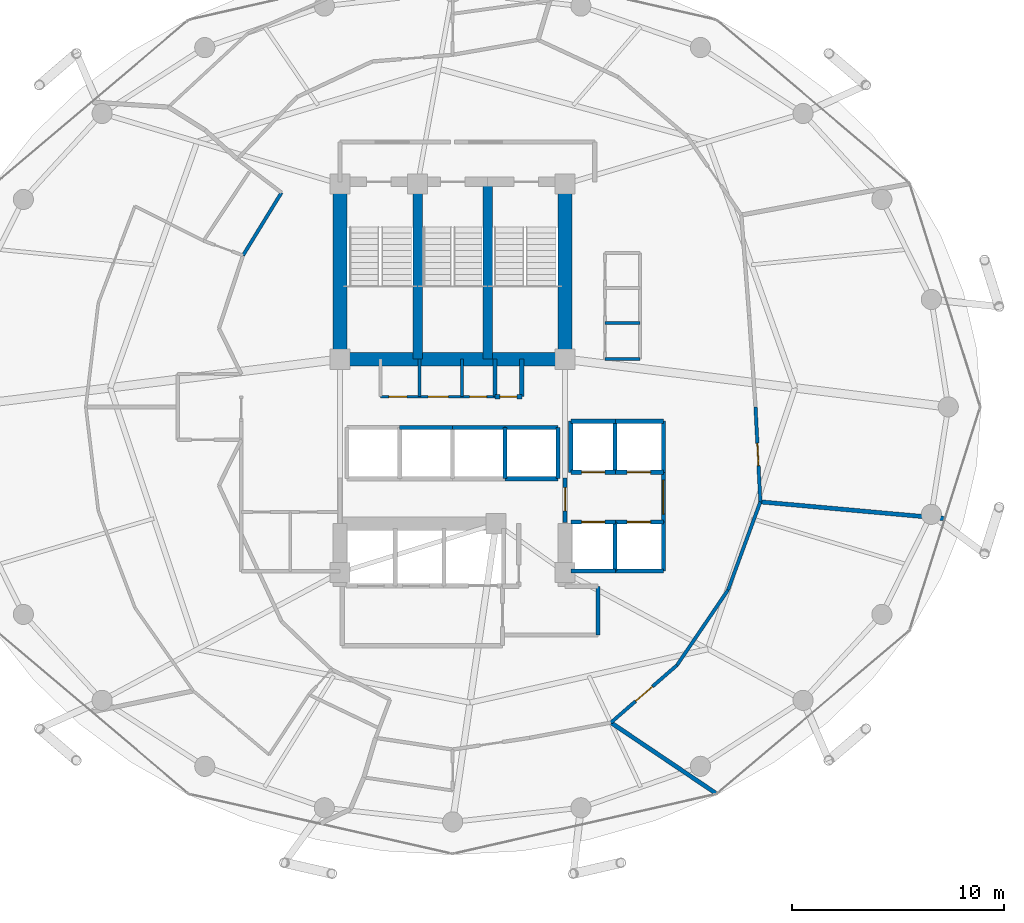
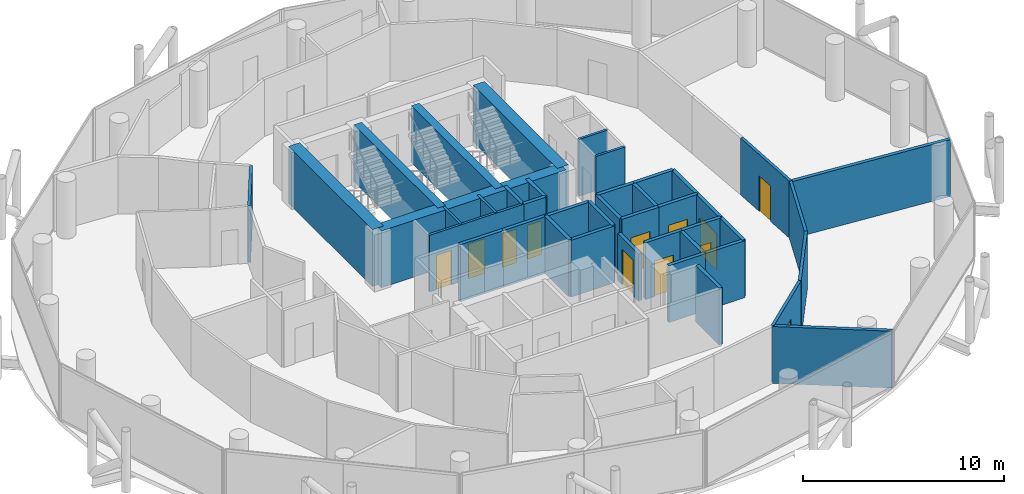
# One storey, part 23 of 26: 42 walls, 12 doors, 12 openings.
"""IFC4 building model written with IfcOpenShell, lengths in metres."""

from ifc_helpers import new_model, si_unit, direction, frame, frame_2d, origin, place, context, subcontext, project, spatial, rectangle, extrude, material, layer, layer_set, type_object, element, fill, save


model = new_model("IFC4")

# Units and contexts
model_context = context("Model", 3, precision=1e-05, world=origin(), true_north=direction((0.0, 1.0)))
body_context = subcontext(model_context, "Body", "Model", "MODEL_VIEW")
ifc_project = project(units=[si_unit("LENGTHUNIT", "METRE"), si_unit("AREAUNIT", "SQUARE_METRE"), si_unit("VOLUMEUNIT", "CUBIC_METRE"), si_unit("PLANEANGLEUNIT", "RADIAN"), si_unit("MASSUNIT", "GRAM", prefix="KILO")], contexts=[model_context])

# Site, building, storey
site_placement = place(None, origin())
site = spatial("IfcSite", under=ifc_project, at=site_placement, CompositionType="ELEMENT")
building_placement = place(site_placement, origin())
building = spatial("IfcBuilding", under=site, at=building_placement, Name="Nuhasar Tower", CompositionType="ELEMENT")
storey_placement = place(building_placement, frame((0.0, 0.0, 170.050048828125)))
storey = spatial("IfcBuildingStorey", under=building, at=storey_placement, Name="L41", CompositionType="ELEMENT", Elevation=170.050048828125)

# Walls
ifc_material_1 = material(Name="Concrete C50/60", Category="concrete")
ifc_layer_1 = layer(ifc_material_1, 0.449951171875)
ifc_layer_set_1 = layer_set([ifc_layer_1], Name="Concrete C50/60")
wall_type_1 = type_object("IfcWallType", Name="WL-CORE-450", PredefinedType="SHEAR", material=ifc_layer_set_1)
for number, where, z_axis, x_axis, name in (
    (1, (37.35009765625, 29.050048828125, 0.0), (0.0, 0.0, 1.0), (0.0, 1.0, 0.0), "L41 Stairwell Shear Wall ST01-E"),
    (2, (40.64990234375, 29.050048828125, 0.0), (0.0, 0.0, 1.0), (0.0, 1.0, 0.0), "L41 Stairwell Shear Wall ST03-E"),
):
    element("IfcWall", number, at=place(storey_placement, frame(where, z_axis=z_axis, x_axis=x_axis)), inside=storey, type_object=wall_type_1, Name=name, PredefinedType="SHEAR", context=body_context, shape_type="SweptSolid", body=[
        extrude(rectangle(XDim=8.349853515625, YDim=0.449951171875, at=frame_2d((4.1748046875, 0.0))), origin(), (0.0, 0.0, 1.0), 3.449951171875),
    ])
ifc_material_2 = material(Name="Concrete C65/80", Category="concrete")
ifc_layer_2 = layer(ifc_material_2, 0.64990234375)
ifc_layer_set_2 = layer_set([ifc_layer_2], Name="Concrete C65/80")
wall_type_2 = type_object("IfcWallType", Name="WL-CORE-650", PredefinedType="SHEAR", material=ifc_layer_set_2)
for number, where, z_axis, x_axis, name in (
    (3, (33.699951171875, 29.050048828125, 0.0), (0.0, 0.0, 1.0), (0.0, 1.0, 0.0), "L41 Core Shear Wall CW-NW CW-650"),
    (4, (44.300048828125, 29.050048828125, 0.0), (0.0, 0.0, 1.0), (0.0, 1.0, 0.0), "L41 Core Shear Wall CW-NE CW-650"),
):
    element("IfcWall", number, at=place(storey_placement, frame(where, z_axis=z_axis, x_axis=x_axis)), inside=storey, type_object=wall_type_2, Name=name, PredefinedType="SHEAR", context=body_context, shape_type="SweptSolid", body=[
        extrude(rectangle(XDim=8.349853515625, YDim=0.64990234375, at=frame_2d((4.1748046875, 0.0))), origin(), (0.0, 0.0, 1.0), 3.449951171875),
    ])
wall_1_placement = place(storey_placement, frame((33.699951171875, 29.050048828125, 0.0), z_axis=(0.0, 0.0, 1.0), x_axis=(1.0, 0.0, 0.0)))
element("IfcWall", 5, at=wall_1_placement, inside=storey, type_object=wall_type_2, Name="L41 Core Shear Wall CW-N1 CW-650", PredefinedType="SHEAR", context=body_context, shape_type="SweptSolid", body=[
    extrude(rectangle(XDim=10.60009765625, YDim=0.64990234375, at=frame_2d((5.300048828125, 0.0))), origin(), (0.0, 0.0, 1.0), 3.449951171875),
])

# Wall, opening, door
ifc_material_3 = material(Name="Gypsum Board", Category="gypsum")
ifc_layer_3 = layer(ifc_material_3, 0.159912109375)
ifc_layer_set_3 = layer_set([ifc_layer_3], Name="Gypsum Board")
wall_type_3 = type_object("IfcWallType", Name="WL-CORR-160", PredefinedType="PARTITIONING", material=ifc_layer_set_3)
wall_2_placement = place(storey_placement, frame((49.570068359375, 14.632080078125, 0.0), z_axis=(0.0, 0.0, 1.0), x_axis=(-0.754850245374, -0.6558971772, 0.0)))
wall_2 = element("IfcWall", 6, at=wall_2_placement, inside=storey, type_object=wall_type_3, Name="L41 Interior Partition CORR-40", PredefinedType="PARTITIONING", context=body_context, shape_type="SweptSolid", body=[
    extrude(rectangle(XDim=4.122802734375, YDim=0.159912109375, at=frame_2d((2.0615234375, 0.0))), origin(), (0.0, 0.0, 1.0), 3.449951171875),
])
opening_1_placement = place(wall_2_placement, frame((1.535888671875, 0.0, 0.0)))
opening_1 = element("IfcOpeningElement", 7, at=opening_1_placement, cuts=wall_2, Name="Opening DU-01", PredefinedType="OPENING", context=body_context, shape_type="SweptSolid", body=[
    extrude(rectangle(XDim=1.050048828125, YDim=2.14990234375, at=frame_2d((0.52490234375, 1.074951171875))), frame((0.0, 0.08984375, 0.0), z_axis=(0.0, -1.0, 0.0), x_axis=(1.0, 0.0, 0.0)), (0.0, 0.0, 1.0), 0.179931640625),
])
ifc_material_4 = material(Name="Timber Oak", Category="wood")
door_type_1 = type_object("IfcDoorType", Name="DR-SUITE-FD60-1050", OperationType="NOTDEFINED", PredefinedType="DOOR", material=ifc_material_4)
door_1_placement = place(opening_1_placement, origin())
door_1 = element("IfcDoor", 8, at=door_1_placement, inside=storey, type_object=door_type_1, Name="L41 Embassy Secretariat Office Entrance Door", OperationType="SINGLE_SWING_LEFT", OverallHeight=2.14990234375, OverallWidth=1.050048828125, PredefinedType="DOOR", context=body_context, shape_type="SweptSolid", body=[
    extrude(rectangle(XDim=1.050048828125, YDim=2.14990234375, at=frame_2d((0.52490234375, 1.074951171875))), frame((0.0, 0.02490234375, 0.0), z_axis=(0.0, -1.0, 0.0), x_axis=(1.0, 0.0, 0.0)), (0.0, 0.0, 1.0), 0.050048828125),
])
fill(opening_1, door_1)

# Walls
wall_3_placement = place(storey_placement, frame((49.570068359375, 14.632080078125, 0.0), z_axis=(0.0, 0.0, 1.0), x_axis=(0.561534872814, 0.827453072152, 0.0)))
element("IfcWall", 9, at=wall_3_placement, inside=storey, type_object=wall_type_3, Name="L41 Interior Partition CORR-42", PredefinedType="PARTITIONING", context=body_context, shape_type="SweptSolid", body=[
    extrude(rectangle(XDim=4.282958984375, YDim=0.159912109375, at=frame_2d((2.1416015625, 0.0))), origin(), (0.0, 0.0, 1.0), 3.449951171875),
])
wall_4_placement = place(storey_placement, frame((51.97509765625, 18.176025390625, 0.0), z_axis=(0.0, 0.0, 1.0), x_axis=(0.344374682777, 0.938832294855, 0.0)))
element("IfcWall", 10, at=wall_4_placement, inside=storey, type_object=wall_type_3, Name="L41 Interior Partition CORR-44", PredefinedType="PARTITIONING", context=body_context, shape_type="SweptSolid", body=[
    extrude(rectangle(XDim=4.42236328125, YDim=0.159912109375, at=frame_2d((2.211181640625, 0.0))), origin(), (0.0, 0.0, 1.0), 3.449951171875),
])

# Wall, opening, door
wall_5_placement = place(storey_placement, frame((53.27001953125, 26.800048828125, 0.0), z_axis=(0.0, 0.0, 1.0), x_axis=(0.050921949012, -0.998702635978, 0.0)))
wall_5 = element("IfcWall", 11, at=wall_5_placement, inside=storey, type_object=wall_type_3, Name="L41 Interior Partition CORR-46", PredefinedType="PARTITIONING", context=body_context, shape_type="SweptSolid", body=[
    extrude(rectangle(XDim=4.47802734375, YDim=0.159912109375, at=frame_2d((2.239013671875, 0.0))), origin(), (0.0, 0.0, 1.0), 3.449951171875),
])
opening_2_placement = place(wall_5_placement, frame((1.714111328125, 0.0, 0.0)))
opening_2 = element("IfcOpeningElement", 12, at=opening_2_placement, cuts=wall_5, Name="Opening DU-01", PredefinedType="OPENING", context=body_context, shape_type="SweptSolid", body=[
    extrude(rectangle(XDim=1.050048828125, YDim=2.14990234375, at=frame_2d((0.52490234375, 1.074951171875))), frame((0.0, 0.08984375, 0.0), z_axis=(0.0, -1.0, 0.0), x_axis=(1.0, 0.0, 0.0)), (0.0, 0.0, 1.0), 0.179931640625),
])
door_2_placement = place(opening_2_placement, origin())
door_2 = element("IfcDoor", 13, at=door_2_placement, inside=storey, type_object=door_type_1, Name="L41 Private Screening Cinema Entrance Door", OperationType="SINGLE_SWING_RIGHT", OverallHeight=2.14990234375, OverallWidth=1.050048828125, PredefinedType="DOOR", context=body_context, shape_type="SweptSolid", body=[
    extrude(rectangle(XDim=1.050048828125, YDim=2.14990234375, at=frame_2d((0.52490234375, 1.074951171875))), frame((0.0, 0.02490234375, 0.0), z_axis=(0.0, -1.0, 0.0), x_axis=(1.0, 0.0, 0.0)), (0.0, 0.0, 1.0), 0.050048828125),
])
fill(opening_2, door_2)

# Wall
wall_6_placement = place(storey_placement, frame((30.93896484375, 36.89697265625, 0.0), z_axis=(0.0, 0.0, 1.0), x_axis=(-0.522486120877, -0.852647789823, 0.0)))
element("IfcWall", 14, at=wall_6_placement, inside=storey, type_object=wall_type_3, Name="L41 Interior Partition HWEST-CORE-N-18", PredefinedType="PARTITIONING", context=body_context, shape_type="SweptSolid", body=[
    extrude(rectangle(XDim=3.468017578125, YDim=0.159912109375, at=frame_2d((1.73388671875, 0.0))), origin(), (0.0, 0.0, 1.0), 3.449951171875),
])

# Wall, opening, door
ifc_material_5 = material(Name="Concrete C45/55", Category="concrete")
ifc_layer_4 = layer(ifc_material_5, 0.199951171875)
ifc_layer_set_4 = layer_set([ifc_layer_4], Name="Concrete C45/55")
wall_type_4 = type_object("IfcWallType", Name="WL-LOBBY-200", PredefinedType="SOLIDWALL", material=ifc_layer_set_4)
wall_7_placement = place(storey_placement, frame((48.929931640625, 21.3798828125, 0.0), z_axis=(0.0, 0.0, 1.0), x_axis=(0.0, 1.0, 0.0)))
wall_7 = element("IfcWall", 15, at=wall_7_placement, inside=storey, type_object=wall_type_4, Name="L41 Interior Partition LLBM-E", PredefinedType="SOLIDWALL", context=body_context, shape_type="SweptSolid", body=[
    extrude(rectangle(XDim=2.340087890625, YDim=0.199951171875, at=frame_2d((1.169921875, 0.0))), origin(), (0.0, 0.0, 1.0), 3.449951171875),
])
opening_3_placement = place(wall_7_placement, frame((0.3701171875, 0.0, 0.0)))
opening_3 = element("IfcOpeningElement", 16, at=opening_3_placement, cuts=wall_7, Name="Opening DC-01", PredefinedType="OPENING", context=body_context, shape_type="SweptSolid", body=[
    extrude(rectangle(XDim=1.60009765625, YDim=2.199951171875, at=frame_2d((0.800048828125, 1.10009765625))), frame((0.0, 0.10986328125, 0.0), z_axis=(0.0, -1.0, 0.0), x_axis=(1.0, 0.0, 0.0)), (0.0, 0.0, 1.0), 0.219970703125),
])
ifc_material_6 = material(Name="Steel S355", Category="steel")
door_type_2 = type_object("IfcDoorType", Name="DR-CORR-FD60-1600", OperationType="DOUBLE_DOOR_SINGLE_SWING", PredefinedType="DOOR", material=ifc_material_6)
door_3_placement = place(opening_3_placement, origin())
door_3 = element("IfcDoor", 17, at=door_3_placement, inside=storey, type_object=door_type_2, Name="L41 Mid-Rise Lift Lobby East Entry", OperationType="DOUBLE_DOOR_SINGLE_SWING", OverallHeight=2.199951171875, OverallWidth=1.60009765625, PredefinedType="DOOR", context=body_context, shape_type="SweptSolid", body=[
    extrude(rectangle(XDim=1.60009765625, YDim=2.199951171875, at=frame_2d((0.800048828125, 1.10009765625))), frame((0.0, 0.02490234375, 0.0), z_axis=(0.0, -1.0, 0.0), x_axis=(1.0, 0.0, 0.0)), (0.0, 0.0, 1.0), 0.050048828125),
])
fill(opening_3, door_3)

wall_8_placement = place(storey_placement, frame((44.300048828125, 21.35009765625, 0.0), z_axis=(0.0, 0.0, 1.0), x_axis=(0.0, 1.0, 0.0)))
wall_8 = element("IfcWall", 18, at=wall_8_placement, inside=storey, type_object=wall_type_4, Name="L41 Interior Partition LLBH-E", PredefinedType="SOLIDWALL", context=body_context, shape_type="SweptSolid", body=[
    extrude(rectangle(XDim=2.099853515625, YDim=0.199951171875, at=frame_2d((1.0498046875, 0.0))), origin(), (0.0, 0.0, 1.0), 2.8349609375),
])
opening_4_placement = place(wall_8_placement, frame((0.550048828125, 0.0, 0.0)))
opening_4 = element("IfcOpeningElement", 19, at=opening_4_placement, cuts=wall_8, Name="Opening DS-02", PredefinedType="OPENING", context=body_context, shape_type="SweptSolid", body=[
    extrude(rectangle(XDim=1.10009765625, YDim=2.14990234375, at=frame_2d((0.550048828125, 1.074951171875))), frame((0.0, 0.10986328125, 0.0), z_axis=(0.0, -1.0, 0.0), x_axis=(1.0, 0.0, 0.0)), (0.0, 0.0, 1.0), 0.219970703125),
])
door_type_3 = type_object("IfcDoorType", Name="DR-FFL-FD120-1100", OperationType="NOTDEFINED", PredefinedType="DOOR", material=ifc_material_6)
door_4_placement = place(opening_4_placement, origin())
door_4 = element("IfcDoor", 20, at=door_4_placement, inside=storey, type_object=door_type_3, Name="L41 High-Rise Lobby East Door", OperationType="SINGLE_SWING_RIGHT", OverallHeight=2.14990234375, OverallWidth=1.10009765625, PredefinedType="DOOR", context=body_context, shape_type="SweptSolid", body=[
    extrude(rectangle(XDim=1.10009765625, YDim=2.14990234375, at=frame_2d((0.550048828125, 1.074951171875))), frame((0.0, 0.02490234375, 0.0), z_axis=(0.0, -1.0, 0.0), x_axis=(1.0, 0.0, 0.0)), (0.0, 0.0, 1.0), 0.050048828125),
])
fill(opening_4, door_4)

# Walls
wall_9_placement = place(storey_placement, frame((45.85009765625, 16.050048828125, 0.0), z_axis=(0.0, 0.0, 1.0), x_axis=(0.0, 1.0, 0.0)))
element("IfcWall", 21, at=wall_9_placement, inside=storey, type_object=wall_type_4, Name="L41 Interior Partition SVLV-E", PredefinedType="SOLIDWALL", context=body_context, shape_type="SweptSolid", body=[
    extrude(rectangle(XDim=2.300048828125, YDim=0.199951171875, at=frame_2d((1.14990234375, 0.0))), origin(), (0.0, 0.0, 1.0), 3.449951171875),
])
ifc_layer_5 = layer(ifc_material_5, 0.199951171875)
ifc_layer_set_5 = layer_set([ifc_layer_5], Name="Concrete C45/55")
wall_type_5 = type_object("IfcWallType", Name="WL-SHAFT-200", PredefinedType="SOLIDWALL", material=ifc_layer_set_5)
for number, where, z_axis, x_axis, name in (
    (22, (41.0, 27.280029296875, 0.0), (0.0, 0.0, 1.0), (0.0, 1.0, 0.0), "L41 Interior Partition RSRN-W"),
    (23, (42.260009765625, 27.280029296875, 0.0), (0.0, 0.0, 1.0), (0.0, 1.0, 0.0), "L41 Interior Partition RSRN-E"),
):
    element("IfcWall", number, at=place(storey_placement, frame(where, z_axis=z_axis, x_axis=x_axis)), inside=storey, type_object=wall_type_5, Name=name, PredefinedType="SOLIDWALL", context=body_context, shape_type="SweptSolid", body=[
        extrude(rectangle(XDim=1.77001953125, YDim=0.199951171875, at=frame_2d((0.885009765625, 0.0))), origin(), (0.0, 0.0, 1.0), 3.449951171875),
    ])

# Wall, opening, door
wall_10_placement = place(storey_placement, frame((41.0, 27.280029296875, 0.0), z_axis=(0.0, 0.0, 1.0), x_axis=(1.0, 0.0, 0.0)))
wall_10 = element("IfcWall", 24, at=wall_10_placement, inside=storey, type_object=wall_type_5, Name="L41 Interior Partition RSRN-S", PredefinedType="SOLIDWALL", context=body_context, shape_type="SweptSolid", body=[
    extrude(rectangle(XDim=1.260009765625, YDim=0.199951171875, at=frame_2d((0.6298828125, 0.0))), origin(), (0.0, 0.0, 1.0), 3.449951171875),
])
opening_5_placement = place(wall_10_placement, frame((0.22998046875, 0.0, 0.0)))
opening_5 = element("IfcOpeningElement", 25, at=opening_5_placement, cuts=wall_10, Name="Opening DM-01", PredefinedType="OPENING", context=body_context, shape_type="SweptSolid", body=[
    extrude(rectangle(XDim=0.800048828125, YDim=2.050048828125, at=frame_2d((0.39990234375, 1.02490234375))), frame((0.0, 0.10986328125, 0.0), z_axis=(0.0, -1.0, 0.0), x_axis=(1.0, 0.0, 0.0)), (0.0, 0.0, 1.0), 0.219970703125),
])
door_type_4 = type_object("IfcDoorType", Name="DR-RISER-FD60-800", OperationType="NOTDEFINED", PredefinedType="DOOR", material=ifc_material_6)
door_5_placement = place(opening_5_placement, origin())
door_5 = element("IfcDoor", 26, at=door_5_placement, inside=storey, type_object=door_type_4, Name="L41 North Smoke Riser Door", OperationType="SINGLE_SWING_RIGHT", OverallHeight=2.050048828125, OverallWidth=0.800048828125, PredefinedType="DOOR", context=body_context, shape_type="SweptSolid", body=[
    extrude(rectangle(XDim=0.800048828125, YDim=2.050048828125, at=frame_2d((0.39990234375, 1.02490234375))), frame((0.0, 0.02490234375, 0.0), z_axis=(0.0, -1.0, 0.0), x_axis=(1.0, 0.0, 0.0)), (0.0, 0.0, 1.0), 0.050048828125),
])
fill(opening_5, door_5)

wall_11_placement = place(storey_placement, frame((44.570068359375, 23.719970703125, 0.0), z_axis=(0.0, 0.0, 1.0), x_axis=(1.0, 0.0, 0.0)))
wall_11 = element("IfcWall", 27, at=wall_11_placement, inside=storey, type_object=wall_type_5, Name="L41 Interior Partition SHF-PL-M01-S", PredefinedType="SOLIDWALL", context=body_context, shape_type="SweptSolid", body=[
    extrude(rectangle(XDim=2.10986328125, YDim=0.199951171875, at=frame_2d((1.054931640625, 0.0))), origin(), (0.0, 0.0, 1.0), 3.449951171875),
])
opening_6_placement = place(wall_11_placement, frame((0.5048828125, 0.0, 0.0)))
opening_6 = element("IfcOpeningElement", 28, at=opening_6_placement, cuts=wall_11, Name="Opening LD-M01", PredefinedType="OPENING", context=body_context, shape_type="SweptSolid", body=[
    extrude(rectangle(XDim=1.10009765625, YDim=2.14990234375, at=frame_2d((0.550048828125, 1.074951171875))), frame((0.0, 0.10986328125, 0.0), z_axis=(0.0, -1.0, 0.0), x_axis=(1.0, 0.0, 0.0)), (0.0, 0.0, 1.0), 0.219970703125),
])
ifc_material_7 = material(Name="Stainless Steel 316L", Category="steel")
door_type_5 = type_object("IfcDoorType", Name="LD-PAX-1100", OperationType="DOUBLE_DOOR_SLIDING", PredefinedType="DOOR", material=ifc_material_7)
door_6_placement = place(opening_6_placement, origin())
door_6 = element("IfcDoor", 29, at=door_6_placement, inside=storey, type_object=door_type_5, Name="L41 Lift Landing Door PL-M01", OperationType="DOUBLE_DOOR_SLIDING", OverallHeight=2.14990234375, OverallWidth=1.10009765625, PredefinedType="DOOR", context=body_context, shape_type="SweptSolid", body=[
    extrude(rectangle(XDim=1.10009765625, YDim=2.14990234375, at=frame_2d((0.550048828125, 1.074951171875))), frame((0.0, 0.02490234375, 0.0), z_axis=(0.0, -1.0, 0.0), x_axis=(1.0, 0.0, 0.0)), (0.0, 0.0, 1.0), 0.050048828125),
])
fill(opening_6, door_6)

# Walls
wall_12_placement = place(storey_placement, frame((44.570068359375, 26.1298828125, 0.0), z_axis=(0.0, 0.0, 1.0), x_axis=(1.0, 0.0, 0.0)))
element("IfcWall", 30, at=wall_12_placement, inside=storey, type_object=wall_type_5, Name="L41 Interior Partition SHF-PL-M01-N", PredefinedType="SOLIDWALL", context=body_context, shape_type="SweptSolid", body=[
    extrude(rectangle(XDim=2.10986328125, YDim=0.199951171875, at=frame_2d((1.054931640625, 0.0))), origin(), (0.0, 0.0, 1.0), 3.449951171875),
])
for number, where, z_axis, x_axis, name in (
    (31, (44.570068359375, 23.719970703125, 0.0), (0.0, 0.0, 1.0), (0.0, 1.0, 0.0), "L41 Interior Partition SHF-PL-M01-W"),
    (32, (46.64990234375, 23.719970703125, 0.0), (0.0, 0.0, 1.0), (0.0, 1.0, 0.0), "L41 Interior Partition SHF-PL-M01-E"),
):
    element("IfcWall", number, at=place(storey_placement, frame(where, z_axis=z_axis, x_axis=x_axis)), inside=storey, type_object=wall_type_5, Name=name, PredefinedType="SOLIDWALL", context=body_context, shape_type="SweptSolid", body=[
        extrude(rectangle(XDim=2.409912109375, YDim=0.199951171875, at=frame_2d((1.205078125, 0.0))), origin(), (0.0, 0.0, 1.0), 3.449951171875),
    ])

# Wall, opening, door
wall_13_placement = place(storey_placement, frame((46.6201171875, 23.719970703125, 0.0), z_axis=(0.0, 0.0, 1.0), x_axis=(1.0, 0.0, 0.0)))
wall_13 = element("IfcWall", 33, at=wall_13_placement, inside=storey, type_object=wall_type_5, Name="L41 Interior Partition SHF-PL-M02-S", PredefinedType="SOLIDWALL", context=body_context, shape_type="SweptSolid", body=[
    extrude(rectangle(XDim=2.309814453125, YDim=0.199951171875, at=frame_2d((1.15478515625, 0.0))), origin(), (0.0, 0.0, 1.0), 3.449951171875),
])
opening_7_placement = place(wall_13_placement, frame((0.60498046875, 0.0, 0.0)))
opening_7 = element("IfcOpeningElement", 34, at=opening_7_placement, cuts=wall_13, Name="Opening LD-M02", PredefinedType="OPENING", context=body_context, shape_type="SweptSolid", body=[
    extrude(rectangle(XDim=1.10009765625, YDim=2.14990234375, at=frame_2d((0.550048828125, 1.074951171875))), frame((0.0, 0.10986328125, 0.0), z_axis=(0.0, -1.0, 0.0), x_axis=(1.0, 0.0, 0.0)), (0.0, 0.0, 1.0), 0.219970703125),
])
door_7_placement = place(opening_7_placement, origin())
door_7 = element("IfcDoor", 35, at=door_7_placement, inside=storey, type_object=door_type_5, Name="L41 Lift Landing Door PL-M02", OperationType="DOUBLE_DOOR_SLIDING", OverallHeight=2.14990234375, OverallWidth=1.10009765625, PredefinedType="DOOR", context=body_context, shape_type="SweptSolid", body=[
    extrude(rectangle(XDim=1.10009765625, YDim=2.14990234375, at=frame_2d((0.550048828125, 1.074951171875))), frame((0.0, 0.02490234375, 0.0), z_axis=(0.0, -1.0, 0.0), x_axis=(1.0, 0.0, 0.0)), (0.0, 0.0, 1.0), 0.050048828125),
])
fill(opening_7, door_7)

# Walls
wall_14_placement = place(storey_placement, frame((46.6201171875, 26.1298828125, 0.0), z_axis=(0.0, 0.0, 1.0), x_axis=(1.0, 0.0, 0.0)))
element("IfcWall", 36, at=wall_14_placement, inside=storey, type_object=wall_type_5, Name="L41 Interior Partition SHF-PL-M02-N", PredefinedType="SOLIDWALL", context=body_context, shape_type="SweptSolid", body=[
    extrude(rectangle(XDim=2.309814453125, YDim=0.199951171875, at=frame_2d((1.15478515625, 0.0))), origin(), (0.0, 0.0, 1.0), 3.449951171875),
])
wall_15_placement = place(storey_placement, frame((48.929931640625, 23.719970703125, 0.0), z_axis=(0.0, 0.0, 1.0), x_axis=(0.0, 1.0, 0.0)))
element("IfcWall", 37, at=wall_15_placement, inside=storey, type_object=wall_type_5, Name="L41 Interior Partition SHF-PL-M02-E", PredefinedType="SOLIDWALL", context=body_context, shape_type="SweptSolid", body=[
    extrude(rectangle(XDim=2.409912109375, YDim=0.199951171875, at=frame_2d((1.205078125, 0.0))), origin(), (0.0, 0.0, 1.0), 3.449951171875),
])
wall_16_placement = place(storey_placement, frame((44.570068359375, 19.070068359375, 0.0), z_axis=(0.0, 0.0, 1.0), x_axis=(1.0, 0.0, 0.0)))
element("IfcWall", 38, at=wall_16_placement, inside=storey, type_object=wall_type_5, Name="L41 Interior Partition SHF-PL-M03-S", PredefinedType="SOLIDWALL", context=body_context, shape_type="SweptSolid", body=[
    extrude(rectangle(XDim=2.10986328125, YDim=0.199951171875, at=frame_2d((1.054931640625, 0.0))), origin(), (0.0, 0.0, 1.0), 3.449951171875),
])

# Wall, opening, door
wall_17_placement = place(storey_placement, frame((44.570068359375, 21.3798828125, 0.0), z_axis=(0.0, 0.0, 1.0), x_axis=(1.0, 0.0, 0.0)))
wall_17 = element("IfcWall", 39, at=wall_17_placement, inside=storey, type_object=wall_type_5, Name="L41 Interior Partition SHF-PL-M03-N", PredefinedType="SOLIDWALL", context=body_context, shape_type="SweptSolid", body=[
    extrude(rectangle(XDim=2.10986328125, YDim=0.199951171875, at=frame_2d((1.054931640625, 0.0))), origin(), (0.0, 0.0, 1.0), 3.449951171875),
])
opening_8_placement = place(wall_17_placement, frame((0.5048828125, 0.0, 0.0)))
opening_8 = element("IfcOpeningElement", 40, at=opening_8_placement, cuts=wall_17, Name="Opening LD-M03", PredefinedType="OPENING", context=body_context, shape_type="SweptSolid", body=[
    extrude(rectangle(XDim=1.10009765625, YDim=2.14990234375, at=frame_2d((0.550048828125, 1.074951171875))), frame((0.0, 0.10986328125, 0.0), z_axis=(0.0, -1.0, 0.0), x_axis=(1.0, 0.0, 0.0)), (0.0, 0.0, 1.0), 0.219970703125),
])
door_8_placement = place(opening_8_placement, origin())
door_8 = element("IfcDoor", 41, at=door_8_placement, inside=storey, type_object=door_type_5, Name="L41 Lift Landing Door PL-M03", OperationType="DOUBLE_DOOR_SLIDING", OverallHeight=2.14990234375, OverallWidth=1.10009765625, PredefinedType="DOOR", context=body_context, shape_type="SweptSolid", body=[
    extrude(rectangle(XDim=1.10009765625, YDim=2.14990234375, at=frame_2d((0.550048828125, 1.074951171875))), frame((0.0, 0.02490234375, 0.0), z_axis=(0.0, -1.0, 0.0), x_axis=(1.0, 0.0, 0.0)), (0.0, 0.0, 1.0), 0.050048828125),
])
fill(opening_8, door_8)

# Walls
for number, where, z_axis, x_axis, name in (
    (42, (46.64990234375, 19.070068359375, 0.0), (0.0, 0.0, 1.0), (0.0, 1.0, 0.0), "L41 Interior Partition SHF-PL-M03-E"),
    (43, (46.6201171875, 19.070068359375, 0.0), (0.0, 0.0, 1.0), (1.0, 0.0, 0.0), "L41 Interior Partition SHF-PL-M04-S"),
):
    element("IfcWall", number, at=place(storey_placement, frame(where, z_axis=z_axis, x_axis=x_axis)), inside=storey, type_object=wall_type_5, Name=name, PredefinedType="SOLIDWALL", context=body_context, shape_type="SweptSolid", body=[
        extrude(rectangle(XDim=2.309814453125, YDim=0.199951171875, at=frame_2d((1.15478515625, 0.0))), origin(), (0.0, 0.0, 1.0), 3.449951171875),
    ])

# Wall, opening, door
wall_18_placement = place(storey_placement, frame((46.6201171875, 21.3798828125, 0.0), z_axis=(0.0, 0.0, 1.0), x_axis=(1.0, 0.0, 0.0)))
wall_18 = element("IfcWall", 44, at=wall_18_placement, inside=storey, type_object=wall_type_5, Name="L41 Interior Partition SHF-PL-M04-N", PredefinedType="SOLIDWALL", context=body_context, shape_type="SweptSolid", body=[
    extrude(rectangle(XDim=2.309814453125, YDim=0.199951171875, at=frame_2d((1.15478515625, 0.0))), origin(), (0.0, 0.0, 1.0), 3.449951171875),
])
opening_9_placement = place(wall_18_placement, frame((0.60498046875, 0.0, 0.0)))
opening_9 = element("IfcOpeningElement", 45, at=opening_9_placement, cuts=wall_18, Name="Opening LD-M04", PredefinedType="OPENING", context=body_context, shape_type="SweptSolid", body=[
    extrude(rectangle(XDim=1.10009765625, YDim=2.14990234375, at=frame_2d((0.550048828125, 1.074951171875))), frame((0.0, 0.10986328125, 0.0), z_axis=(0.0, -1.0, 0.0), x_axis=(1.0, 0.0, 0.0)), (0.0, 0.0, 1.0), 0.219970703125),
])
door_9_placement = place(opening_9_placement, origin())
door_9 = element("IfcDoor", 46, at=door_9_placement, inside=storey, type_object=door_type_5, Name="L41 Lift Landing Door PL-M04", OperationType="DOUBLE_DOOR_SLIDING", OverallHeight=2.14990234375, OverallWidth=1.10009765625, PredefinedType="DOOR", context=body_context, shape_type="SweptSolid", body=[
    extrude(rectangle(XDim=1.10009765625, YDim=2.14990234375, at=frame_2d((0.550048828125, 1.074951171875))), frame((0.0, 0.02490234375, 0.0), z_axis=(0.0, -1.0, 0.0), x_axis=(1.0, 0.0, 0.0)), (0.0, 0.0, 1.0), 0.050048828125),
])
fill(opening_9, door_9)

# Walls
wall_19_placement = place(storey_placement, frame((48.929931640625, 19.070068359375, 0.0), z_axis=(0.0, 0.0, 1.0), x_axis=(0.0, 1.0, 0.0)))
element("IfcWall", 47, at=wall_19_placement, inside=storey, type_object=wall_type_5, Name="L41 Interior Partition SHF-PL-M04-E", PredefinedType="SOLIDWALL", context=body_context, shape_type="SweptSolid", body=[
    extrude(rectangle(XDim=2.309814453125, YDim=0.199951171875, at=frame_2d((1.15478515625, 0.0))), origin(), (0.0, 0.0, 1.0), 3.449951171875),
])
for number, where, z_axis, x_axis, name in (
    (48, (36.5, 25.830078125, 0.0), (0.0, 0.0, 1.0), (1.0, 0.0, 0.0), "L41 Interior Partition SHF-PL-H02-N"),
    (49, (38.97998046875, 25.830078125, 0.0), (0.0, 0.0, 1.0), (1.0, 0.0, 0.0), "L41 Interior Partition SHF-PL-H03-N"),
):
    element("IfcWall", number, at=place(storey_placement, frame(where, z_axis=z_axis, x_axis=x_axis)), inside=storey, type_object=wall_type_5, Name=name, PredefinedType="SOLIDWALL", context=body_context, shape_type="SweptSolid", body=[
        extrude(rectangle(XDim=2.5, YDim=0.199951171875, at=frame_2d((1.25, 0.0))), origin(), (0.0, 0.0, 1.0), 3.449951171875),
    ])
wall_20_placement = place(storey_placement, frame((41.469970703125, 23.419921875, 0.0), z_axis=(0.0, 0.0, 1.0), x_axis=(0.0, 1.0, 0.0)))
element("IfcWall", 50, at=wall_20_placement, inside=storey, type_object=wall_type_5, Name="L41 Interior Partition SHF-PL-H03-E", PredefinedType="SOLIDWALL", context=body_context, shape_type="SweptSolid", body=[
    extrude(rectangle(XDim=2.41015625, YDim=0.199951171875, at=frame_2d((1.205078125, 0.0))), origin(), (0.0, 0.0, 1.0), 3.449951171875),
])
for number, where, z_axis, x_axis, name in (
    (51, (41.4599609375, 23.419921875, 0.0), (0.0, 0.0, 1.0), (1.0, 0.0, 0.0), "L41 Interior Partition SHF-PL-H04-S"),
    (52, (41.4599609375, 25.830078125, 0.0), (0.0, 0.0, 1.0), (1.0, 0.0, 0.0), "L41 Interior Partition SHF-PL-H04-N"),
):
    element("IfcWall", number, at=place(storey_placement, frame(where, z_axis=z_axis, x_axis=x_axis)), inside=storey, type_object=wall_type_5, Name=name, PredefinedType="SOLIDWALL", context=body_context, shape_type="SweptSolid", body=[
        extrude(rectangle(XDim=2.5, YDim=0.199951171875, at=frame_2d((1.25, 0.0))), origin(), (0.0, 0.0, 1.0), 3.449951171875),
    ])
wall_21_placement = place(storey_placement, frame((43.9599609375, 23.419921875, 0.0), z_axis=(0.0, 0.0, 1.0), x_axis=(0.0, 1.0, 0.0)))
element("IfcWall", 53, at=wall_21_placement, inside=storey, type_object=wall_type_5, Name="L41 Interior Partition SHF-PL-H04-E", PredefinedType="SOLIDWALL", context=body_context, shape_type="SweptSolid", body=[
    extrude(rectangle(XDim=2.41015625, YDim=0.199951171875, at=frame_2d((1.205078125, 0.0))), origin(), (0.0, 0.0, 1.0), 3.449951171875),
])
ifc_material_8 = material(Name="Concrete C40/50 precast", Category="concrete")
ifc_layer_6 = layer(ifc_material_8, 0.199951171875)
ifc_layer_set_6 = layer_set([ifc_layer_6], Name="Concrete C40/50 precast")
wall_type_6 = type_object("IfcWallType", Name="WL-UNIT-200", PredefinedType="PARTITIONING", material=ifc_layer_set_6)
wall_22_placement = place(storey_placement, frame((46.4580078125, 11.927978515625, 0.0), z_axis=(0.0, 0.0, 1.0), x_axis=(0.829526575928, -0.5584672415, 0.0)))
element("IfcWall", 54, at=wall_22_placement, inside=storey, type_object=wall_type_6, Name="L41 Interior Partition HRAD-40", PredefinedType="PARTITIONING", context=body_context, shape_type="SweptSolid", body=[
    extrude(rectangle(XDim=5.973388671875, YDim=0.199951171875, at=frame_2d((2.98681640625, 0.0))), origin(), (0.0, 0.0, 1.0), 3.449951171875),
])
wall_23_placement = place(storey_placement, frame((53.498046875, 22.327880859375, 0.0), z_axis=(0.0, 0.0, 1.0), x_axis=(0.99593153215, -0.090113169233, 0.0)))
element("IfcWall", 55, at=wall_23_placement, inside=storey, type_object=wall_type_6, Name="L41 Interior Partition HRAD-46", PredefinedType="PARTITIONING", context=body_context, shape_type="SweptSolid", body=[
    extrude(rectangle(XDim=8.699462890625, YDim=0.199951171875, at=frame_2d((4.349609375, 0.0))), origin(), (0.0, 0.0, 1.0), 3.449951171875),
])

# Wall, openings, doors
ifc_layer_7 = layer(ifc_material_8, 0.139892578125)
ifc_layer_set_7 = layer_set([ifc_layer_7], Name="Concrete C40/50 precast")
wall_type_7 = type_object("IfcWallType", Name="WL-WET-140", PredefinedType="PARTITIONING", material=ifc_layer_set_7)
wall_24_placement = place(storey_placement, frame((35.60009765625, 27.280029296875, 0.0), z_axis=(0.0, 0.0, 1.0), x_axis=(1.0, 0.0, 0.0)))
wall_24 = element("IfcWall", 56, at=wall_24_placement, inside=storey, type_object=wall_type_7, Name="L41 Interior Partition CSVC-S", PredefinedType="PARTITIONING", context=body_context, shape_type="SweptSolid", body=[
    extrude(rectangle(XDim=5.39990234375, YDim=0.139892578125, at=frame_2d((2.699951171875, 0.0))), origin(), (0.0, 0.0, 1.0), 3.449951171875),
])
opening_10_placement = place(wall_24_placement, frame((0.39990234375, 0.0, 0.0)))
opening_10 = element("IfcOpeningElement", 57, at=opening_10_placement, cuts=wall_24, Name="Opening DB-01", PredefinedType="OPENING", context=body_context, shape_type="SweptSolid", body=[
    extrude(rectangle(XDim=0.85009765625, YDim=2.10009765625, at=frame_2d((0.425048828125, 1.050048828125))), frame((0.0, 0.080078125, 0.0), z_axis=(0.0, -1.0, 0.0), x_axis=(1.0, 0.0, 0.0)), (0.0, 0.0, 1.0), 0.159912109375),
])
opening_11_placement = place(wall_24_placement, frame((2.25, 0.0, 0.0)))
opening_11 = element("IfcOpeningElement", 58, at=opening_11_placement, cuts=wall_24, Name="Opening DA-01", PredefinedType="OPENING", context=body_context, shape_type="SweptSolid", body=[
    extrude(rectangle(XDim=0.949951171875, YDim=2.10009765625, at=frame_2d((0.47509765625, 1.050048828125))), frame((0.0, 0.080078125, 0.0), z_axis=(0.0, -1.0, 0.0), x_axis=(1.0, 0.0, 0.0)), (0.0, 0.0, 1.0), 0.159912109375),
])
opening_12_placement = place(wall_24_placement, frame((4.199951171875, 0.0, 0.0)))
opening_12 = element("IfcOpeningElement", 59, at=opening_12_placement, cuts=wall_24, Name="Opening DM-01", PredefinedType="OPENING", context=body_context, shape_type="SweptSolid", body=[
    extrude(rectangle(XDim=0.800048828125, YDim=2.050048828125, at=frame_2d((0.39990234375, 1.02490234375))), frame((0.0, 0.080078125, 0.0), z_axis=(0.0, -1.0, 0.0), x_axis=(1.0, 0.0, 0.0)), (0.0, 0.0, 1.0), 0.159912109375),
])
door_type_6 = type_object("IfcDoorType", Name="DR-ACCWC-950", OperationType="NOTDEFINED", PredefinedType="DOOR", material=ifc_material_4)
door_10_placement = place(opening_11_placement, origin())
door_10 = element("IfcDoor", 60, at=door_10_placement, inside=storey, type_object=door_type_6, Name="L41 Core Accessible WC Door", OperationType="SINGLE_SWING_RIGHT", OverallHeight=2.10009765625, OverallWidth=0.949951171875, PredefinedType="DOOR", context=body_context, shape_type="SweptSolid", body=[
    extrude(rectangle(XDim=0.949951171875, YDim=2.10009765625, at=frame_2d((0.47509765625, 1.050048828125))), frame((0.0, 0.02490234375, 0.0), z_axis=(0.0, -1.0, 0.0), x_axis=(1.0, 0.0, 0.0)), (0.0, 0.0, 1.0), 0.050048828125),
])
fill(opening_11, door_10)
door_type_7 = type_object("IfcDoorType", Name="DR-BATH-850", OperationType="NOTDEFINED", PredefinedType="DOOR", material=ifc_material_4)
door_11_placement = place(opening_10_placement, origin())
door_11 = element("IfcDoor", 61, at=door_11_placement, inside=storey, type_object=door_type_7, Name="L41 Core Male WC Door", OperationType="SINGLE_SWING_LEFT", OverallHeight=2.10009765625, OverallWidth=0.85009765625, PredefinedType="DOOR", context=body_context, shape_type="SweptSolid", body=[
    extrude(rectangle(XDim=0.85009765625, YDim=2.10009765625, at=frame_2d((0.425048828125, 1.050048828125))), frame((0.0, 0.02490234375, 0.0), z_axis=(0.0, -1.0, 0.0), x_axis=(1.0, 0.0, 0.0)), (0.0, 0.0, 1.0), 0.050048828125),
])
fill(opening_10, door_11)
door_12_placement = place(opening_12_placement, origin())
door_12 = element("IfcDoor", 62, at=door_12_placement, inside=storey, type_object=door_type_4, Name="L41 Core Janitor Door", OperationType="SINGLE_SWING_RIGHT", OverallHeight=2.050048828125, OverallWidth=0.800048828125, PredefinedType="DOOR", context=body_context, shape_type="SweptSolid", body=[
    extrude(rectangle(XDim=0.800048828125, YDim=2.050048828125, at=frame_2d((0.39990234375, 1.02490234375))), frame((0.0, 0.02490234375, 0.0), z_axis=(0.0, -1.0, 0.0), x_axis=(1.0, 0.0, 0.0)), (0.0, 0.0, 1.0), 0.050048828125),
])
fill(opening_12, door_12)

# Walls
for number, where, z_axis, x_axis, name in (
    (63, (37.449951171875, 27.280029296875, 0.0), (0.0, 0.0, 1.0), (0.0, 1.0, 0.0), "L41 Interior Partition K1-P1"),
    (64, (39.449951171875, 27.280029296875, 0.0), (0.0, 0.0, 1.0), (0.0, 1.0, 0.0), "L41 Interior Partition K1-P2"),
):
    element("IfcWall", number, at=place(storey_placement, frame(where, z_axis=z_axis, x_axis=x_axis)), inside=storey, type_object=wall_type_7, Name=name, PredefinedType="PARTITIONING", context=body_context, shape_type="SweptSolid", body=[
        extrude(rectangle(XDim=1.77001953125, YDim=0.139892578125, at=frame_2d((0.885009765625, 0.0))), origin(), (0.0, 0.0, 1.0), 3.449951171875),
    ])
for number, where, z_axis, x_axis, name in (
    (65, (46.179931640625, 29.050048828125, 0.0), (0.0, 0.0, 1.0), (1.0, 0.0, 0.0), "L41 Interior Partition K1-NE-S"),
    (66, (46.179931640625, 30.75, 0.0), (0.0, 0.0, 1.0), (1.0, 0.0, 0.0), "L41 Interior Partition K1-NE-M1"),
):
    element("IfcWall", number, at=place(storey_placement, frame(where, z_axis=z_axis, x_axis=x_axis)), inside=storey, type_object=wall_type_7, Name=name, PredefinedType="PARTITIONING", context=body_context, shape_type="SweptSolid", body=[
        extrude(rectangle(XDim=1.64013671875, YDim=0.139892578125, at=frame_2d((0.820068359375, 0.0))), origin(), (0.0, 0.0, 1.0), 3.449951171875),
    ])

save(model, "model.ifc")
